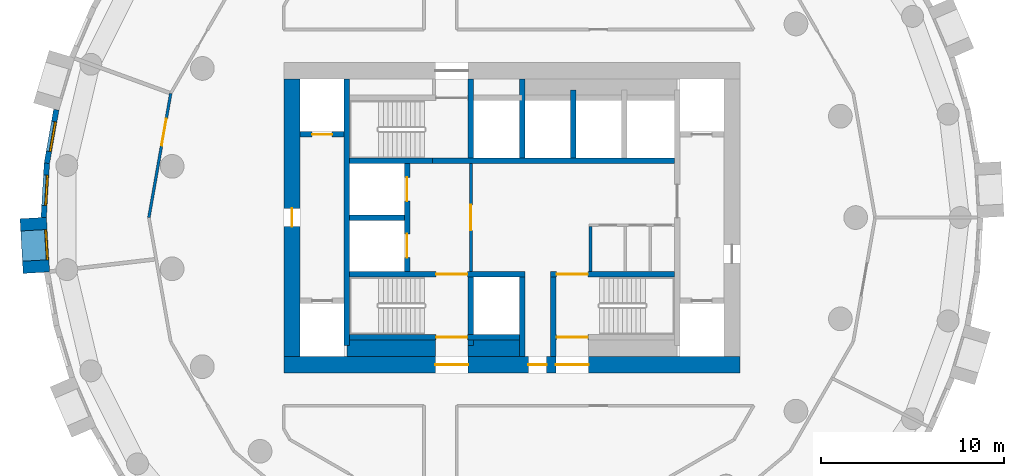
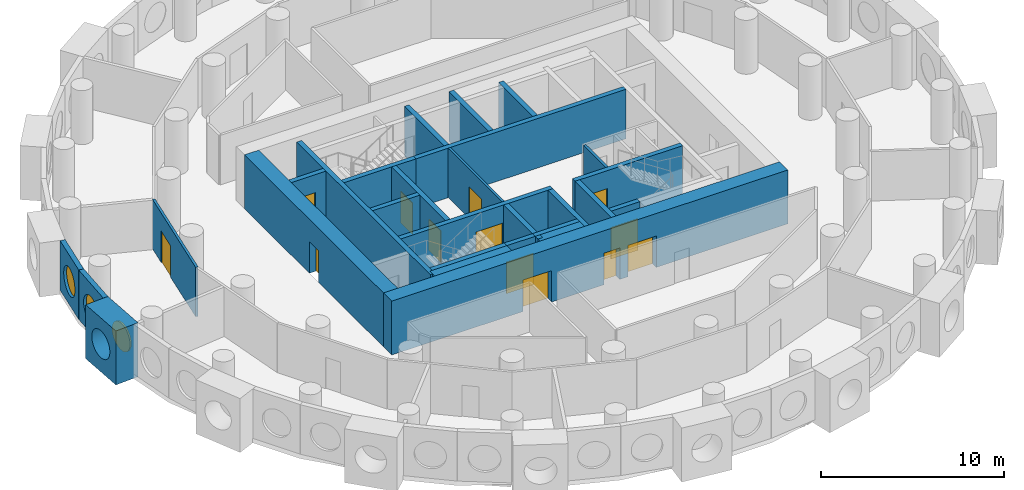
# One storey, part 3 of 9: 28 walls, 13 doors, 3 windows, 16 openings.
"""IFC4 building model written with IfcOpenShell, lengths in metres."""

from ifc_helpers import new_model, si_unit, direction, frame, frame_2d, origin, origin_2d, place, context, subcontext, project, spatial, rectangle, circle, extrude, material, layer, layer_set, type_object, element, fill, save


model = new_model("IFC4")

# Units and contexts
model_context = context("Model", 3, precision=1e-05, world=origin(), true_north=direction((0.0, 1.0)))
body_context = subcontext(model_context, "Body", "Model", "MODEL_VIEW")
ifc_project = project(units=[si_unit("LENGTHUNIT", "METRE"), si_unit("AREAUNIT", "SQUARE_METRE"), si_unit("VOLUMEUNIT", "CUBIC_METRE"), si_unit("PLANEANGLEUNIT", "RADIAN"), si_unit("MASSUNIT", "GRAM", prefix="KILO")], contexts=[model_context])

# Site, building, storey
site_placement = place(None, origin())
site = spatial("IfcSite", under=ifc_project, at=site_placement, CompositionType="ELEMENT")
building_placement = place(site_placement, origin())
building = spatial("IfcBuilding", under=site, at=building_placement, Name="Tracery Tower", CompositionType="ELEMENT")
storey_placement = place(building_placement, frame((0.0, 0.0, 151.199951171875)))
storey = spatial("IfcBuildingStorey", under=building, at=storey_placement, Name="L38", CompositionType="ELEMENT", Elevation=151.199951171875)

# Wall, opening, door
ifc_material_1 = material(Name="Plasterboard on steel studs", Category="steel")
ifc_layer_1 = layer(ifc_material_1, 0.14990234375)
ifc_layer_set_1 = layer_set([ifc_layer_1], Name="Core lobby partition 150")
wall_type_1 = type_object("IfcWallType", Name="Core lobby partition 150", PredefinedType="SOLIDWALL", material=ifc_layer_set_1)
wall_1_placement = place(storey_placement, frame((-2.25, -2.949951171875, 0.0), z_axis=(0.0, 0.0, 1.0), x_axis=(0.0, 1.0, 0.0)))
wall_1 = element("IfcWall", 1, at=wall_1_placement, inside=storey, type_object=wall_type_1, Name="L38 FF lobby E", PredefinedType="SOLIDWALL", context=body_context, shape_type="SweptSolid", body=[
    extrude(rectangle(XDim=5.89990234375, YDim=0.14990234375, at=frame_2d((2.949951171875, 0.0))), origin(), (0.0, 0.0, 1.0), 3.300048828125),
])
opening_1_placement = place(wall_1_placement, frame((2.25, 0.0, 0.0)))
opening_1 = element("IfcOpeningElement", 2, at=opening_1_placement, cuts=wall_1, Name="Opening KD8", PredefinedType="OPENING", context=body_context, shape_type="SweptSolid", body=[
    extrude(rectangle(XDim=1.39990234375, YDim=2.10009765625, at=frame_2d((0.699951171875, 1.050048828125))), frame((0.0, 0.074951171875, 0.0), z_axis=(0.0, -1.0, 0.0), x_axis=(1.0, 0.0, 0.0)), (0.0, 0.0, 1.0), 0.14990234375),
])
ifc_material_2 = material(Name="Steel fire door", Category="steel")
door_type_1 = type_object("IfcDoorType", Name="Core lobby door 1400 double", OperationType="NOTDEFINED", PredefinedType="DOOR", material=ifc_material_2)
door_1_placement = place(opening_1_placement, origin())
door_1 = element("IfcDoor", 3, at=door_1_placement, inside=storey, type_object=door_type_1, Name="Fire-fighting lobby door", OperationType="DOUBLE_DOOR_SINGLE_SWING", OverallHeight=2.10009765625, OverallWidth=1.39990234375, PredefinedType="DOOR", context=body_context, shape_type="SweptSolid", body=[
    extrude(rectangle(XDim=1.39990234375, YDim=2.10009765625, at=frame_2d((0.699951171875, 1.050048828125))), frame((0.0, 0.02490234375, 0.0), z_axis=(0.0, -1.0, 0.0), x_axis=(1.0, 0.0, 0.0)), (0.0, 0.0, 1.0), 0.050048828125),
])
fill(opening_1, door_1)

# Walls
ifc_material_3 = material(Name="Plasterboard on steel studs", Category="steel")
ifc_layer_2 = layer(ifc_material_3, 0.14990234375)
ifc_layer_set_2 = layer_set([ifc_layer_2], Name="Core room partition 150")
wall_type_2 = type_object("IfcWallType", Name="Core room partition 150", PredefinedType="SOLIDWALL", material=ifc_layer_set_2)
wall_2_placement = place(storey_placement, frame((4.300048828125, -2.949951171875, 0.0), z_axis=(0.0, 0.0, 1.0), x_axis=(0.0, 1.0, 0.0)))
element("IfcWall", 4, at=wall_2_placement, inside=storey, type_object=wall_type_2, Name="L38 slot W", PredefinedType="SOLIDWALL", context=body_context, shape_type="SweptSolid", body=[
    extrude(rectangle(XDim=2.449951171875, YDim=0.14990234375, at=frame_2d((1.22509765625, 0.0))), origin(), (0.0, 0.0, 1.0), 3.300048828125),
])
ifc_material_4 = material(Name="Concrete C50/60", Category="concrete")
ifc_layer_3 = layer(ifc_material_4, 0.89990234375)
ifc_layer_set_3 = layer_set([ifc_layer_3], Name="Core strip wall 900 C50")
wall_type_3 = type_object("IfcWallType", Name="Core strip wall 900 C50", PredefinedType="SOLIDWALL", material=ifc_layer_set_3)
wall_3_placement = place(storey_placement, frame((-9.050048828125, -7.14990234375, 0.0), z_axis=(0.0, 0.0, 1.0), x_axis=(1.0, 0.0, 0.0)))
element("IfcWall", 5, at=wall_3_placement, inside=storey, type_object=wall_type_3, Name="L38 F thick S W", PredefinedType="SOLIDWALL", context=body_context, shape_type="SweptSolid", body=[
    extrude(rectangle(XDim=4.85009765625, YDim=0.89990234375, at=frame_2d((2.425048828125, 0.0))), origin(), (0.0, 0.0, 1.0), 3.300048828125),
])
wall_4_placement = place(storey_placement, frame((-2.39990234375, -7.14990234375, 0.0), z_axis=(0.0, 0.0, 1.0), x_axis=(1.0, 0.0, 0.0)))
element("IfcWall", 6, at=wall_4_placement, inside=storey, type_object=wall_type_3, Name="L38 F thick S mid", PredefinedType="SOLIDWALL", context=body_context, shape_type="SweptSolid", body=[
    extrude(rectangle(XDim=2.7998046875, YDim=0.89990234375, at=frame_2d((1.39990234375, 0.0))), origin(), (0.0, 0.0, 1.0), 3.300048828125),
])

# Wall, openings, doors
ifc_material_5 = material(Name="Concrete C50/60", Category="concrete")
ifc_layer_4 = layer(ifc_material_5, 0.89990234375)
ifc_layer_set_4 = layer_set([ifc_layer_4], Name="Core wall 900 C50")
wall_type_4 = type_object("IfcWallType", Name="Core wall 900 C50", PredefinedType="SOLIDWALL", material=ifc_layer_set_4)
wall_5_placement = place(storey_placement, frame((-12.5, -8.050048828125, 0.0), z_axis=(0.0, 0.0, 1.0), x_axis=(1.0, 0.0, 0.0)))
wall_5 = element("IfcWall", 7, at=wall_5_placement, inside=storey, type_object=wall_type_4, Name="L38 outer S", PredefinedType="SOLIDWALL", context=body_context, shape_type="SweptSolid", body=[
    extrude(rectangle(XDim=25.0, YDim=0.89990234375, at=frame_2d((12.5, 0.0))), origin(), (0.0, 0.0, 1.0), 3.60009765625),
])
opening_2_placement = place(wall_5_placement, frame((13.39990234375, 0.0, 0.0)))
opening_2 = element("IfcOpeningElement", 8, at=opening_2_placement, cuts=wall_5, Name="Opening KD16", PredefinedType="OPENING", context=body_context, shape_type="SweptSolid", body=[
    extrude(rectangle(XDim=1.0, YDim=2.10009765625, at=frame_2d((0.5, 1.050048828125))), frame((0.0, 0.449951171875, 0.0), z_axis=(0.0, -1.0, 0.0), x_axis=(1.0, 0.0, 0.0)), (0.0, 0.0, 1.0), 0.89990234375),
])
opening_3_placement = place(wall_5_placement, frame((8.300048828125, 0.0, 0.0)))
opening_3 = element("IfcOpeningElement", 9, at=opening_3_placement, cuts=wall_5, Name="Opening KD13", PredefinedType="OPENING", context=body_context, shape_type="SweptSolid", body=[
    extrude(rectangle(XDim=1.800048828125, YDim=2.10009765625, at=frame_2d((0.89990234375, 1.050048828125))), frame((0.0, 0.449951171875, 0.0), z_axis=(0.0, -1.0, 0.0), x_axis=(1.0, 0.0, 0.0)), (0.0, 0.0, 1.0), 0.89990234375),
])
opening_4_placement = place(wall_5_placement, frame((14.89990234375, 0.0, 0.0)))
opening_4 = element("IfcOpeningElement", 10, at=opening_4_placement, cuts=wall_5, Name="Opening KD13", PredefinedType="OPENING", context=body_context, shape_type="SweptSolid", body=[
    extrude(rectangle(XDim=1.800048828125, YDim=2.10009765625, at=frame_2d((0.89990234375, 1.050048828125))), frame((0.0, 0.449951171875, 0.0), z_axis=(0.0, -1.0, 0.0), x_axis=(1.0, 0.0, 0.0)), (0.0, 0.0, 1.0), 0.89990234375),
])
ifc_material_6 = material(Name="Steel fire door", Category="steel")
door_type_2 = type_object("IfcDoorType", Name="Core exit door 1000", OperationType="NOTDEFINED", PredefinedType="DOOR", material=ifc_material_6)
door_2_placement = place(opening_2_placement, origin())
door_2 = element("IfcDoor", 11, at=door_2_placement, inside=storey, type_object=door_type_2, Name="Core exit door", OperationType="SINGLE_SWING_LEFT", OverallHeight=2.10009765625, OverallWidth=1.0, PredefinedType="DOOR", context=body_context, shape_type="SweptSolid", body=[
    extrude(rectangle(XDim=1.0, YDim=2.10009765625, at=frame_2d((0.5, 1.050048828125))), frame((0.0, 0.02490234375, 0.0), z_axis=(0.0, -1.0, 0.0), x_axis=(1.0, 0.0, 0.0)), (0.0, 0.0, 1.0), 0.050048828125),
])
fill(opening_2, door_2)
ifc_material_7 = material(Name="Steel fire door", Category="steel")
door_type_3 = type_object("IfcDoorType", Name="Core exit door 1800 double", OperationType="NOTDEFINED", PredefinedType="DOOR", material=ifc_material_7)
door_3_placement = place(opening_3_placement, origin())
door_3 = element("IfcDoor", 12, at=door_3_placement, inside=storey, type_object=door_type_3, Name="Core exit door", OperationType="DOUBLE_DOOR_SINGLE_SWING", OverallHeight=2.10009765625, OverallWidth=1.800048828125, PredefinedType="DOOR", context=body_context, shape_type="SweptSolid", body=[
    extrude(rectangle(XDim=1.800048828125, YDim=2.10009765625, at=frame_2d((0.89990234375, 1.050048828125))), frame((0.0, 0.02490234375, 0.0), z_axis=(0.0, -1.0, 0.0), x_axis=(1.0, 0.0, 0.0)), (0.0, 0.0, 1.0), 0.050048828125),
])
fill(opening_3, door_3)
door_4_placement = place(opening_4_placement, origin())
door_4 = element("IfcDoor", 13, at=door_4_placement, inside=storey, type_object=door_type_3, Name="Core exit door", OperationType="DOUBLE_DOOR_SINGLE_SWING", OverallHeight=2.10009765625, OverallWidth=1.800048828125, PredefinedType="DOOR", context=body_context, shape_type="SweptSolid", body=[
    extrude(rectangle(XDim=1.800048828125, YDim=2.10009765625, at=frame_2d((0.89990234375, 1.050048828125))), frame((0.0, 0.02490234375, 0.0), z_axis=(0.0, -1.0, 0.0), x_axis=(1.0, 0.0, 0.0)), (0.0, 0.0, 1.0), 0.050048828125),
])
fill(opening_4, door_4)

# Wall, opening, door
wall_6_placement = place(storey_placement, frame((-12.050048828125, -7.60009765625, 0.0), z_axis=(0.0, 0.0, 1.0), x_axis=(0.0, 1.0, 0.0)))
wall_6 = element("IfcWall", 14, at=wall_6_placement, inside=storey, type_object=wall_type_4, Name="L38 outer W", PredefinedType="SOLIDWALL", context=body_context, shape_type="SweptSolid", body=[
    extrude(rectangle(XDim=15.2001953125, YDim=0.89990234375, at=frame_2d((7.60009765625, 0.0))), origin(), (0.0, 0.0, 1.0), 3.60009765625),
])
opening_5_placement = place(wall_6_placement, frame((7.10009765625, 0.0, 0.0)))
opening_5 = element("IfcOpeningElement", 15, at=opening_5_placement, cuts=wall_6, Name="Opening KD18", PredefinedType="OPENING", context=body_context, shape_type="SweptSolid", body=[
    extrude(rectangle(XDim=1.0, YDim=2.10009765625, at=frame_2d((0.5, 1.050048828125))), frame((0.0, 0.449951171875, 0.0), z_axis=(0.0, -1.0, 0.0), x_axis=(1.0, 0.0, 0.0)), (0.0, 0.0, 1.0), 0.89990234375),
])
door_5_placement = place(opening_5_placement, origin())
door_5 = element("IfcDoor", 16, at=door_5_placement, inside=storey, type_object=door_type_2, Name="Core exit door", OperationType="DOUBLE_DOOR_SINGLE_SWING", OverallHeight=2.10009765625, OverallWidth=1.0, PredefinedType="DOOR", context=body_context, shape_type="SweptSolid", body=[
    extrude(rectangle(XDim=1.0, YDim=2.10009765625, at=frame_2d((0.5, 1.050048828125))), frame((0.0, 0.02490234375, 0.0), z_axis=(0.0, -1.0, 0.0), x_axis=(1.0, 0.0, 0.0)), (0.0, 0.0, 1.0), 0.050048828125),
])
fill(opening_5, door_5)

# Wall, opening, window
ifc_material_8 = material(Name="Precast concrete C50/60", Category="concrete")
ifc_layer_5 = layer(ifc_material_8, 1.449951171875)
ifc_layer_set_5 = layer_set([ifc_layer_5], Name="Deep-set bay unit 3000 x 3600, slab edge 300")
wall_type_5 = type_object("IfcWallType", Name="Deep-set bay unit 3000 x 3600, slab edge 300", PredefinedType="ELEMENTEDWALL", material=ifc_layer_set_5)
wall_7_placement = place(storey_placement, frame((-26.221923828125, -0.024658203125, -0.300048828125), z_axis=(0.0, 0.0, 1.0), x_axis=(0.058106596105, -0.998310384344, 0.0)))
wall_7 = element("IfcWall", 17, at=wall_7_placement, inside=storey, type_object=wall_type_5, Name="Deep-set bay unit 28 at L38", PredefinedType="ELEMENTEDWALL", context=body_context, shape_type="SweptSolid", body=[
    extrude(rectangle(XDim=3.0, YDim=1.449951171875, at=frame_2d((1.5, 0.0))), origin(), (0.0, 0.0, 1.0), 3.60009765625),
])
opening_6_placement = place(wall_7_placement, frame((1.5, 0.0, 1.85009765625)))
opening_6 = element("IfcOpeningElement", 18, at=opening_6_placement, cuts=wall_7, Name="Opening WN1", PredefinedType="OPENING", context=body_context, shape_type="SweptSolid", body=[
    extrude(circle(Radius=0.9000244140625, at=origin_2d()), frame((0.0, 0.73486328125, 0.0), z_axis=(0.0, -1.0, 0.0), x_axis=(1.0, 0.0, 0.0)), (0.0, 0.0, 1.0), 1.469970703125),
])
ifc_material_9 = material(Name="Aluminium frame with tinted double glazing", Category="aluminium")
window_type = type_object("IfcWindowType", Name="Round window 1800", PartitioningType="SINGLE_PANEL", PredefinedType="WINDOW", material=ifc_material_9)
window_1_placement = place(opening_6_placement, origin())
window_1 = element("IfcWindow", 19, at=window_1_placement, inside=storey, type_object=window_type, Name="Round window 28 at L38", OverallHeight=1.800048828125, OverallWidth=1.800048828125, PartitioningType="SINGLE_PANEL", PredefinedType="WINDOW", context=body_context, shape_type="SweptSolid", body=[
    extrude(circle(Radius=0.9000244140625, at=origin_2d()), frame((0.0, 0.69482421875, 0.0), z_axis=(0.0, -1.0, 0.0), x_axis=(1.0, 0.0, 0.0)), (0.0, 0.0, 1.0), 0.10009765625),
])
fill(opening_6, window_1)

ifc_material_10 = material(Name="Precast concrete C50/60", Category="concrete")
ifc_layer_6 = layer(ifc_material_10, 0.300048828125)
ifc_layer_set_6 = layer_set([ifc_layer_6], Name="Facade panel 3000 x 3300")
wall_type_6 = type_object("IfcWallType", Name="Facade panel 3000 x 3300", PredefinedType="SOLIDWALL", material=ifc_layer_set_6)
wall_8_placement = place(storey_placement, frame((-24.957763671875, 5.9052734375, 0.0), z_axis=(0.0, 0.0, 1.0), x_axis=(-0.173686952598, -0.984800915159, 0.0)))
wall_8 = element("IfcWall", 20, at=wall_8_placement, inside=storey, type_object=wall_type_6, Name="Facade panel 26 at L38", PredefinedType="SOLIDWALL", context=body_context, shape_type="SweptSolid", body=[
    extrude(rectangle(XDim=2.972900390625, YDim=0.300048828125, at=frame_2d((1.486328125, 0.0))), origin(), (0.0, 0.0, 1.0), 3.300048828125),
])
opening_7_placement = place(wall_8_placement, frame((1.486328125, 0.0, 1.5498046875)))
opening_7 = element("IfcOpeningElement", 21, at=opening_7_placement, cuts=wall_8, Name="Opening WN1", PredefinedType="OPENING", context=body_context, shape_type="SweptSolid", body=[
    extrude(circle(Radius=0.9000244140625, at=origin_2d()), frame((0.0, 0.159912109375, 0.0), z_axis=(0.0, -1.0, 0.0), x_axis=(1.0, 0.0, 0.0)), (0.0, 0.0, 1.0), 0.320068359375),
])
window_2_placement = place(opening_7_placement, origin())
window_2 = element("IfcWindow", 22, at=window_2_placement, inside=storey, type_object=window_type, Name="Round window 26 at L38", OverallHeight=1.800048828125, OverallWidth=1.800048828125, PartitioningType="SINGLE_PANEL", PredefinedType="WINDOW", context=body_context, shape_type="SweptSolid", body=[
    extrude(circle(Radius=0.9000244140625, at=origin_2d()), frame((0.0, 0.1201171875, 0.0), z_axis=(0.0, -1.0, 0.0), x_axis=(1.0, 0.0, 0.0)), (0.0, 0.0, 1.0), 0.10009765625),
])
fill(opening_7, window_2)

wall_9_placement = place(storey_placement, frame((-25.47412109375, 2.9775390625, 0.0), z_axis=(0.0, 0.0, 1.0), x_axis=(-0.058139540521, -0.998308466271, 0.0)))
wall_9 = element("IfcWall", 23, at=wall_9_placement, inside=storey, type_object=wall_type_6, Name="Facade panel 27 at L38", PredefinedType="SOLIDWALL", context=body_context, shape_type="SweptSolid", body=[
    extrude(rectangle(XDim=2.97314453125, YDim=0.300048828125, at=frame_2d((1.486572265625, 0.0))), origin(), (0.0, 0.0, 1.0), 3.300048828125),
])
opening_8_placement = place(wall_9_placement, frame((1.486328125, 0.0, 1.5498046875)))
opening_8 = element("IfcOpeningElement", 24, at=opening_8_placement, cuts=wall_9, Name="Opening WN1", PredefinedType="OPENING", context=body_context, shape_type="SweptSolid", body=[
    extrude(circle(Radius=0.9000244140625, at=origin_2d()), frame((0.0, 0.159912109375, 0.0), z_axis=(0.0, -1.0, 0.0), x_axis=(1.0, 0.0, 0.0)), (0.0, 0.0, 1.0), 0.320068359375),
])
window_3_placement = place(opening_8_placement, origin())
window_3 = element("IfcWindow", 25, at=window_3_placement, inside=storey, type_object=window_type, Name="Round window 27 at L38", OverallHeight=1.800048828125, OverallWidth=1.800048828125, PartitioningType="SINGLE_PANEL", PredefinedType="WINDOW", context=body_context, shape_type="SweptSolid", body=[
    extrude(circle(Radius=0.9000244140625, at=origin_2d()), frame((0.0, 0.1201171875, 0.0), z_axis=(0.0, -1.0, 0.0), x_axis=(1.0, 0.0, 0.0)), (0.0, 0.0, 1.0), 0.10009765625),
])
fill(opening_8, window_3)

# Wall, opening, door
ifc_material_11 = material(Name="Plasterboard on steel studs", Category="steel")
ifc_layer_7 = layer(ifc_material_11, 0.14990234375)
ifc_layer_set_7 = layer_set([ifc_layer_7], Name="Partition 150 corridor wall")
wall_type_7 = type_object("IfcWallType", Name="Partition 150 corridor wall", PredefinedType="PARTITIONING", material=ifc_layer_set_7)
wall_10_placement = place(storey_placement, frame((-19.887939453125, 0.0, 0.0), z_axis=(0.0, 0.0, 1.0), x_axis=(0.173728873845, 0.98479352069, 0.0)))
wall_10 = element("IfcWall", 26, at=wall_10_placement, inside=storey, type_object=wall_type_7, Name="Corridor wall RB3-028", PredefinedType="PARTITIONING", context=body_context, shape_type="SweptSolid", body=[
    extrude(rectangle(XDim=6.906982421875, YDim=0.14990234375, at=frame_2d((3.45361328125, 0.0))), origin(), (0.0, 0.0, 1.0), 3.300048828125),
])
opening_9_placement = place(wall_10_placement, frame((4.00390625, 0.0, 0.0)))
opening_9 = element("IfcOpeningElement", 27, at=opening_9_placement, cuts=wall_10, Name="Opening RB3-14", PredefinedType="OPENING", context=body_context, shape_type="SweptSolid", body=[
    extrude(rectangle(XDim=1.5, YDim=2.10009765625, at=frame_2d((0.75, 1.050048828125))), frame((0.0, 0.074951171875, 0.0), z_axis=(0.0, -1.0, 0.0), x_axis=(1.0, 0.0, 0.0)), (0.0, 0.0, 1.0), 0.14990234375),
])
ifc_material_12 = material(Name="Timber door leaf", Category="wood")
door_type_4 = type_object("IfcDoorType", Name="Door double kitchen 1500", OperationType="NOTDEFINED", PredefinedType="DOOR", material=ifc_material_12)
door_6_placement = place(opening_9_placement, origin())
door_6 = element("IfcDoor", 28, at=door_6_placement, inside=storey, type_object=door_type_4, Name="Double kitchen door RB3-14", OperationType="DOUBLE_DOOR_SINGLE_SWING", OverallHeight=2.10009765625, OverallWidth=1.5, PredefinedType="DOOR", context=body_context, shape_type="SweptSolid", body=[
    extrude(rectangle(XDim=1.5, YDim=2.10009765625, at=frame_2d((0.75, 1.050048828125))), frame((0.0, 0.02490234375, 0.0), z_axis=(0.0, -1.0, 0.0), x_axis=(1.0, 0.0, 0.0)), (0.0, 0.0, 1.0), 0.050048828125),
])
fill(opening_9, door_6)

# Wall
ifc_material_13 = material(Name="Concrete C50/60", Category="concrete")
ifc_layer_8 = layer(ifc_material_13, 0.300048828125)
ifc_layer_set_8 = layer_set([ifc_layer_8], Name="Shaft wall 300 C50")
wall_type_8 = type_object("IfcWallType", Name="Shaft wall 300 C50", PredefinedType="SOLIDWALL", material=ifc_layer_set_8)
wall_11_placement = place(storey_placement, frame((-8.89990234375, 0.0, 0.0), z_axis=(0.0, 0.0, 1.0), x_axis=(1.0, 0.0, 0.0)))
element("IfcWall", 29, at=wall_11_placement, inside=storey, type_object=wall_type_8, Name="L38 FF split", PredefinedType="SOLIDWALL", context=body_context, shape_type="SweptSolid", body=[
    extrude(rectangle(XDim=3.0, YDim=0.300048828125, at=frame_2d((1.5, 0.0))), origin(), (0.0, 0.0, 1.0), 3.300048828125),
])

# Wall, openings, doors
wall_12_placement = place(storey_placement, frame((-5.75, -2.949951171875, 0.0), z_axis=(0.0, 0.0, 1.0), x_axis=(0.0, 1.0, 0.0)))
wall_12 = element("IfcWall", 30, at=wall_12_placement, inside=storey, type_object=wall_type_8, Name="L38 FF doors", PredefinedType="SOLIDWALL", context=body_context, shape_type="SweptSolid", body=[
    extrude(rectangle(XDim=5.89990234375, YDim=0.300048828125, at=frame_2d((2.949951171875, 0.0))), origin(), (0.0, 0.0, 1.0), 3.300048828125),
])
opening_10_placement = place(wall_12_placement, frame((0.75, 0.0, 0.0)))
opening_10 = element("IfcOpeningElement", 31, at=opening_10_placement, cuts=wall_12, Name="Opening KD54", PredefinedType="OPENING", context=body_context, shape_type="SweptSolid", body=[
    extrude(rectangle(XDim=1.300048828125, YDim=2.10009765625, at=frame_2d((0.64990234375, 1.050048828125))), frame((0.0, 0.14990234375, 0.0), z_axis=(0.0, -1.0, 0.0), x_axis=(1.0, 0.0, 0.0)), (0.0, 0.0, 1.0), 0.300048828125),
])
opening_11_placement = place(wall_12_placement, frame((3.85009765625, 0.0, 0.0)))
opening_11 = element("IfcOpeningElement", 32, at=opening_11_placement, cuts=wall_12, Name="Opening KD55", PredefinedType="OPENING", context=body_context, shape_type="SweptSolid", body=[
    extrude(rectangle(XDim=1.300048828125, YDim=2.10009765625, at=frame_2d((0.64990234375, 1.050048828125))), frame((0.0, 0.14990234375, 0.0), z_axis=(0.0, -1.0, 0.0), x_axis=(1.0, 0.0, 0.0)), (0.0, 0.0, 1.0), 0.300048828125),
])
ifc_material_14 = material(Name="Steel fire door", Category="steel")
door_type_5 = type_object("IfcDoorType", Name="Landing door FF 1300", OperationType="NOTDEFINED", PredefinedType="DOOR", material=ifc_material_14)
door_7_placement = place(opening_10_placement, origin())
door_7 = element("IfcDoor", 33, at=door_7_placement, inside=storey, type_object=door_type_5, Name="Landing door FF1", OperationType="SLIDING_TO_LEFT", OverallHeight=2.10009765625, OverallWidth=1.300048828125, PredefinedType="DOOR", context=body_context, shape_type="SweptSolid", body=[
    extrude(rectangle(XDim=1.300048828125, YDim=2.10009765625, at=frame_2d((0.64990234375, 1.050048828125))), frame((0.0, 0.02490234375, 0.0), z_axis=(0.0, -1.0, 0.0), x_axis=(1.0, 0.0, 0.0)), (0.0, 0.0, 1.0), 0.050048828125),
])
fill(opening_10, door_7)
door_8_placement = place(opening_11_placement, origin())
door_8 = element("IfcDoor", 34, at=door_8_placement, inside=storey, type_object=door_type_5, Name="Landing door FF2", OperationType="SLIDING_TO_RIGHT", OverallHeight=2.10009765625, OverallWidth=1.300048828125, PredefinedType="DOOR", context=body_context, shape_type="SweptSolid", body=[
    extrude(rectangle(XDim=1.300048828125, YDim=2.10009765625, at=frame_2d((0.64990234375, 1.050048828125))), frame((0.0, 0.02490234375, 0.0), z_axis=(0.0, -1.0, 0.0), x_axis=(1.0, 0.0, 0.0)), (0.0, 0.0, 1.0), 0.050048828125),
])
fill(opening_11, door_8)

# Walls
for number, where, z_axis, x_axis, name in (
    (35, (0.550048828125, -7.60009765625, 0.0), (0.0, 0.0, 1.0), (0.0, 1.0, 0.0), "L38 OB2 E"),
    (36, (0.550048828125, 3.25, 0.0), (0.0, 0.0, 1.0), (0.0, 1.0, 0.0), "L38 HR sep 1"),
):
    element("IfcWall", number, at=place(storey_placement, frame(where, z_axis=z_axis, x_axis=x_axis)), inside=storey, type_object=wall_type_8, Name=name, PredefinedType="SOLIDWALL", context=body_context, shape_type="SweptSolid", body=[
        extrude(rectangle(XDim=4.35009765625, YDim=0.300048828125, at=frame_2d((2.175048828125, 0.0))), origin(), (0.0, 0.0, 1.0), 3.300048828125),
    ])
wall_13_placement = place(storey_placement, frame((3.35009765625, 3.25, 0.0), z_axis=(0.0, 0.0, 1.0), x_axis=(0.0, 1.0, 0.0)))
element("IfcWall", 37, at=wall_13_placement, inside=storey, type_object=wall_type_8, Name="L38 HR sep 2", PredefinedType="SOLIDWALL", context=body_context, shape_type="SweptSolid", body=[
    extrude(rectangle(XDim=3.75, YDim=0.300048828125, at=frame_2d((1.875, 0.0))), origin(), (0.0, 0.0, 1.0), 3.300048828125),
])

# Wall, opening, door
wall_14_placement = place(storey_placement, frame((-11.60009765625, 4.550048828125, 0.0), z_axis=(0.0, 0.0, 1.0), x_axis=(1.0, 0.0, 0.0)))
wall_14 = element("IfcWall", 38, at=wall_14_placement, inside=storey, type_object=wall_type_8, Name="L38 MR W +4.55", PredefinedType="SOLIDWALL", context=body_context, shape_type="SweptSolid", body=[
    extrude(rectangle(XDim=2.400146484375, YDim=0.300048828125, at=frame_2d((1.2001953125, 0.0))), origin(), (0.0, 0.0, 1.0), 3.300048828125),
])
opening_12_placement = place(wall_14_placement, frame((0.64990234375, 0.0, 0.0)))
opening_12 = element("IfcOpeningElement", 39, at=opening_12_placement, cuts=wall_14, Name="Opening KD49", PredefinedType="OPENING", context=body_context, shape_type="SweptSolid", body=[
    extrude(rectangle(XDim=1.10009765625, YDim=2.10009765625, at=frame_2d((0.550048828125, 1.050048828125))), frame((0.0, 0.14990234375, 0.0), z_axis=(0.0, -1.0, 0.0), x_axis=(1.0, 0.0, 0.0)), (0.0, 0.0, 1.0), 0.300048828125),
])
ifc_material_15 = material(Name="Steel fire door", Category="steel")
door_type_6 = type_object("IfcDoorType", Name="Landing door 1100", OperationType="NOTDEFINED", PredefinedType="DOOR", material=ifc_material_15)
door_9_placement = place(opening_12_placement, origin())
door_9 = element("IfcDoor", 40, at=door_9_placement, inside=storey, type_object=door_type_6, Name="Landing door MR2", OperationType="SLIDING_TO_LEFT", OverallHeight=2.10009765625, OverallWidth=1.10009765625, PredefinedType="DOOR", context=body_context, shape_type="SweptSolid", body=[
    extrude(rectangle(XDim=1.10009765625, YDim=2.10009765625, at=frame_2d((0.550048828125, 1.050048828125))), frame((0.0, 0.02490234375, 0.0), z_axis=(0.0, -1.0, 0.0), x_axis=(1.0, 0.0, 0.0)), (0.0, 0.0, 1.0), 0.050048828125),
])
fill(opening_12, door_9)

ifc_material_16 = material(Name="Concrete C50/60", Category="concrete")
ifc_layer_9 = layer(ifc_material_16, 0.300048828125)
ifc_layer_set_9 = layer_set([ifc_layer_9], Name="Stair wall 300 C50")
wall_type_9 = type_object("IfcWallType", Name="Stair wall 300 C50", PredefinedType="SOLIDWALL", material=ifc_layer_set_9)
wall_15_placement = place(storey_placement, frame((-8.89990234375, -3.10009765625, 0.0), z_axis=(0.0, 0.0, 1.0), x_axis=(1.0, 0.0, 0.0)))
wall_15 = element("IfcWall", 41, at=wall_15_placement, inside=storey, type_object=wall_type_9, Name="L38 row S", PredefinedType="SOLIDWALL", context=body_context, shape_type="SweptSolid", body=[
    extrude(rectangle(XDim=9.599853515625, YDim=0.300048828125, at=frame_2d((4.7998046875, 0.0))), origin(), (0.0, 0.0, 1.0), 3.300048828125),
])
opening_13_placement = place(wall_15_placement, frame((4.75, 0.0, 0.0)))
opening_13 = element("IfcOpeningElement", 42, at=opening_13_placement, cuts=wall_15, Name="Opening KD3", PredefinedType="OPENING", context=body_context, shape_type="SweptSolid", body=[
    extrude(rectangle(XDim=1.699951171875, YDim=2.10009765625, at=frame_2d((0.85009765625, 1.050048828125))), frame((0.0, 0.14990234375, 0.0), z_axis=(0.0, -1.0, 0.0), x_axis=(1.0, 0.0, 0.0)), (0.0, 0.0, 1.0), 0.300048828125),
])
ifc_material_17 = material(Name="Steel fire door", Category="steel")
door_type_7 = type_object("IfcDoorType", Name="Core stair door 1700 double", OperationType="NOTDEFINED", PredefinedType="DOOR", material=ifc_material_17)
door_10_placement = place(opening_13_placement, origin())
door_10 = element("IfcDoor", 43, at=door_10_placement, inside=storey, type_object=door_type_7, Name="Stair door ST1", OperationType="DOUBLE_DOOR_SINGLE_SWING", OverallHeight=2.10009765625, OverallWidth=1.699951171875, PredefinedType="DOOR", context=body_context, shape_type="SweptSolid", body=[
    extrude(rectangle(XDim=1.699951171875, YDim=2.10009765625, at=frame_2d((0.85009765625, 1.050048828125))), frame((0.0, 0.02490234375, 0.0), z_axis=(0.0, -1.0, 0.0), x_axis=(1.0, 0.0, 0.0)), (0.0, 0.0, 1.0), 0.050048828125),
])
fill(opening_13, door_10)

wall_16_placement = place(storey_placement, frame((2.10009765625, -3.10009765625, 0.0), z_axis=(0.0, 0.0, 1.0), x_axis=(1.0, 0.0, 0.0)))
wall_16 = element("IfcWall", 44, at=wall_16_placement, inside=storey, type_object=wall_type_9, Name="L38 row S E", PredefinedType="SOLIDWALL", context=body_context, shape_type="SweptSolid", body=[
    extrude(rectangle(XDim=6.7998046875, YDim=0.300048828125, at=frame_2d((3.39990234375, 0.0))), origin(), (0.0, 0.0, 1.0), 3.300048828125),
])
opening_14_placement = place(wall_16_placement, frame((0.35009765625, 0.0, 0.0)))
opening_14 = element("IfcOpeningElement", 45, at=opening_14_placement, cuts=wall_16, Name="Opening KD3", PredefinedType="OPENING", context=body_context, shape_type="SweptSolid", body=[
    extrude(rectangle(XDim=1.699951171875, YDim=2.10009765625, at=frame_2d((0.85009765625, 1.050048828125))), frame((0.0, 0.14990234375, 0.0), z_axis=(0.0, -1.0, 0.0), x_axis=(1.0, 0.0, 0.0)), (0.0, 0.0, 1.0), 0.300048828125),
])
door_11_placement = place(opening_14_placement, origin())
door_11 = element("IfcDoor", 46, at=door_11_placement, inside=storey, type_object=door_type_7, Name="Stair door ST2", OperationType="DOUBLE_DOOR_SINGLE_SWING", OverallHeight=2.10009765625, OverallWidth=1.699951171875, PredefinedType="DOOR", context=body_context, shape_type="SweptSolid", body=[
    extrude(rectangle(XDim=1.699951171875, YDim=2.10009765625, at=frame_2d((0.85009765625, 1.050048828125))), frame((0.0, 0.02490234375, 0.0), z_axis=(0.0, -1.0, 0.0), x_axis=(1.0, 0.0, 0.0)), (0.0, 0.0, 1.0), 0.050048828125),
])
fill(opening_14, door_11)

# Walls
wall_17_placement = place(storey_placement, frame((-8.89990234375, 3.10009765625, 0.0), z_axis=(0.0, 0.0, 1.0), x_axis=(1.0, 0.0, 0.0)))
element("IfcWall", 47, at=wall_17_placement, inside=storey, type_object=wall_type_9, Name="L38 row N W", PredefinedType="SOLIDWALL", context=body_context, shape_type="SweptSolid", body=[
    extrude(rectangle(XDim=4.5498046875, YDim=0.300048828125, at=frame_2d((2.27490234375, 0.0))), origin(), (0.0, 0.0, 1.0), 3.300048828125),
])
wall_18_placement = place(storey_placement, frame((-4.35009765625, 3.10009765625, 0.0), z_axis=(0.0, 0.0, 1.0), x_axis=(1.0, 0.0, 0.0)))
element("IfcWall", 48, at=wall_18_placement, inside=storey, type_object=wall_type_9, Name="L38 row N", PredefinedType="SOLIDWALL", context=body_context, shape_type="SweptSolid", body=[
    extrude(rectangle(XDim=13.25, YDim=0.300048828125, at=frame_2d((6.625, 0.0))), origin(), (0.0, 0.0, 1.0), 3.300048828125),
])
wall_19_placement = place(storey_placement, frame((-2.25, -7.0, 0.0), z_axis=(0.0, 0.0, 1.0), x_axis=(0.0, 1.0, 0.0)))
element("IfcWall", 49, at=wall_19_placement, inside=storey, type_object=wall_type_9, Name="L38 ST1 E", PredefinedType="SOLIDWALL", context=body_context, shape_type="SweptSolid", body=[
    extrude(rectangle(XDim=3.75, YDim=0.300048828125, at=frame_2d((1.875, 0.0))), origin(), (0.0, 0.0, 1.0), 3.300048828125),
])
for number, where, z_axis, x_axis, name in (
    (50, (-2.25, 3.25, 0.0), (0.0, 0.0, 1.0), (0.0, 1.0, 0.0), "L38 ST3 E"),
    (51, (2.25, -7.60009765625, 0.0), (0.0, 0.0, 1.0), (0.0, 1.0, 0.0), "L38 ST2 W"),
):
    element("IfcWall", number, at=place(storey_placement, frame(where, z_axis=z_axis, x_axis=x_axis)), inside=storey, type_object=wall_type_9, Name=name, PredefinedType="SOLIDWALL", context=body_context, shape_type="SweptSolid", body=[
        extrude(rectangle(XDim=4.35009765625, YDim=0.300048828125, at=frame_2d((2.175048828125, 0.0))), origin(), (0.0, 0.0, 1.0), 3.300048828125),
    ])
wall_20_placement = place(storey_placement, frame((-9.050048828125, -7.0, 0.0), z_axis=(0.0, 0.0, 1.0), x_axis=(0.0, 1.0, 0.0)))
element("IfcWall", 52, at=wall_20_placement, inside=storey, type_object=wall_type_9, Name="L38 F wall -9", PredefinedType="SOLIDWALL", context=body_context, shape_type="SweptSolid", body=[
    extrude(rectangle(XDim=14.60009765625, YDim=0.300048828125, at=frame_2d((7.300048828125, 0.0))), origin(), (0.0, 0.0, 1.0), 3.300048828125),
])
wall_21_placement = place(storey_placement, frame((-8.89990234375, -6.550048828125, 0.0), z_axis=(0.0, 0.0, 1.0), x_axis=(1.0, 0.0, 0.0)))
element("IfcWall", 53, at=wall_21_placement, inside=storey, type_object=wall_type_9, Name="L38 F stair strip S W", PredefinedType="SOLIDWALL", context=body_context, shape_type="SweptSolid", body=[
    extrude(rectangle(XDim=4.699951171875, YDim=0.300048828125, at=frame_2d((2.35009765625, 0.0))), origin(), (0.0, 0.0, 1.0), 3.300048828125),
])
wall_22_placement = place(storey_placement, frame((-2.39990234375, -6.550048828125, 0.0), z_axis=(0.0, 0.0, 1.0), x_axis=(1.0, 0.0, 0.0)))
element("IfcWall", 54, at=wall_22_placement, inside=storey, type_object=wall_type_9, Name="L38 F stair strip S mid", PredefinedType="SOLIDWALL", context=body_context, shape_type="SweptSolid", body=[
    extrude(rectangle(XDim=2.7998046875, YDim=0.300048828125, at=frame_2d((1.39990234375, 0.0))), origin(), (0.0, 0.0, 1.0), 3.300048828125),
])

# Wall, opening, door
wall_23_placement = place(storey_placement, frame((-4.199951171875, -6.550048828125, 0.0), z_axis=(0.0, 0.0, 1.0), x_axis=(1.0, 0.0, 0.0)))
wall_23 = element("IfcWall", 55, at=wall_23_placement, inside=storey, type_object=wall_type_9, Name="L38 F stair S W", PredefinedType="SOLIDWALL", context=body_context, shape_type="SweptSolid", body=[
    extrude(rectangle(XDim=1.800048828125, YDim=0.300048828125, at=frame_2d((0.89990234375, 0.0))), origin(), (0.0, 0.0, 1.0), 3.300048828125),
])
opening_15_placement = place(wall_23_placement, frame((0.050048828125, 0.0, 0.0)))
opening_15 = element("IfcOpeningElement", 56, at=opening_15_placement, cuts=wall_23, Name="Opening KD3", PredefinedType="OPENING", context=body_context, shape_type="SweptSolid", body=[
    extrude(rectangle(XDim=1.699951171875, YDim=2.10009765625, at=frame_2d((0.85009765625, 1.050048828125))), frame((0.0, 0.14990234375, 0.0), z_axis=(0.0, -1.0, 0.0), x_axis=(1.0, 0.0, 0.0)), (0.0, 0.0, 1.0), 0.300048828125),
])
door_12_placement = place(opening_15_placement, origin())
door_12 = element("IfcDoor", 57, at=door_12_placement, inside=storey, type_object=door_type_7, Name="Stair door vest", OperationType="DOUBLE_DOOR_SINGLE_SWING", OverallHeight=2.10009765625, OverallWidth=1.699951171875, PredefinedType="DOOR", context=body_context, shape_type="SweptSolid", body=[
    extrude(rectangle(XDim=1.699951171875, YDim=2.10009765625, at=frame_2d((0.85009765625, 1.050048828125))), frame((0.0, 0.02490234375, 0.0), z_axis=(0.0, -1.0, 0.0), x_axis=(1.0, 0.0, 0.0)), (0.0, 0.0, 1.0), 0.050048828125),
])
fill(opening_15, door_12)

wall_24_placement = place(storey_placement, frame((2.39990234375, -6.550048828125, 0.0), z_axis=(0.0, 0.0, 1.0), x_axis=(1.0, 0.0, 0.0)))
wall_24 = element("IfcWall", 58, at=wall_24_placement, inside=storey, type_object=wall_type_9, Name="L38 F stair S E", PredefinedType="SOLIDWALL", context=body_context, shape_type="SweptSolid", body=[
    extrude(rectangle(XDim=1.800048828125, YDim=0.300048828125, at=frame_2d((0.89990234375, 0.0))), origin(), (0.0, 0.0, 1.0), 3.300048828125),
])
opening_16_placement = place(wall_24_placement, frame((0.050048828125, 0.0, 0.0)))
opening_16 = element("IfcOpeningElement", 59, at=opening_16_placement, cuts=wall_24, Name="Opening KD3", PredefinedType="OPENING", context=body_context, shape_type="SweptSolid", body=[
    extrude(rectangle(XDim=1.699951171875, YDim=2.10009765625, at=frame_2d((0.85009765625, 1.050048828125))), frame((0.0, 0.14990234375, 0.0), z_axis=(0.0, -1.0, 0.0), x_axis=(1.0, 0.0, 0.0)), (0.0, 0.0, 1.0), 0.300048828125),
])
door_13_placement = place(opening_16_placement, origin())
door_13 = element("IfcDoor", 60, at=door_13_placement, inside=storey, type_object=door_type_7, Name="Stair door vest", OperationType="DOUBLE_DOOR_SINGLE_SWING", OverallHeight=2.10009765625, OverallWidth=1.699951171875, PredefinedType="DOOR", context=body_context, shape_type="SweptSolid", body=[
    extrude(rectangle(XDim=1.699951171875, YDim=2.10009765625, at=frame_2d((0.85009765625, 1.050048828125))), frame((0.0, 0.02490234375, 0.0), z_axis=(0.0, -1.0, 0.0), x_axis=(1.0, 0.0, 0.0)), (0.0, 0.0, 1.0), 0.050048828125),
])
fill(opening_16, door_13)

save(model, "model.ifc")
